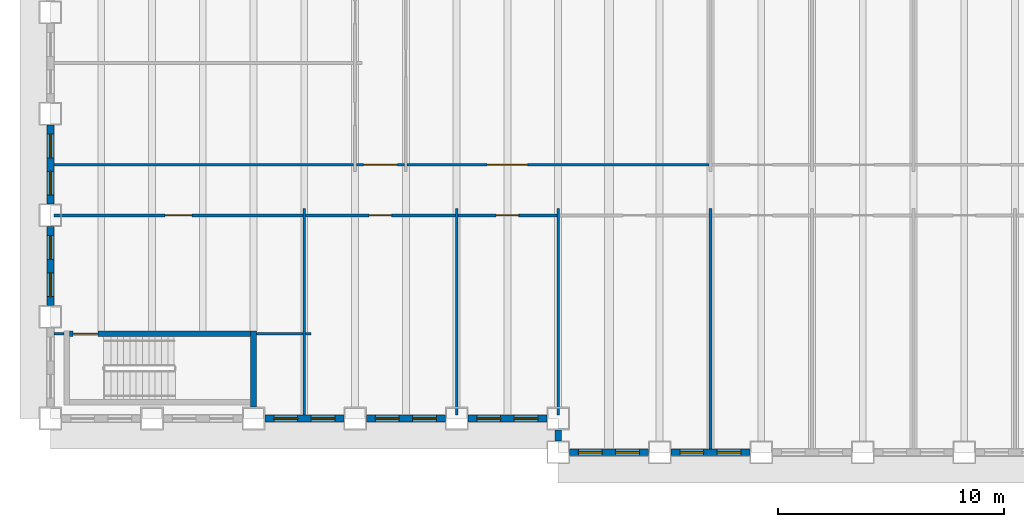
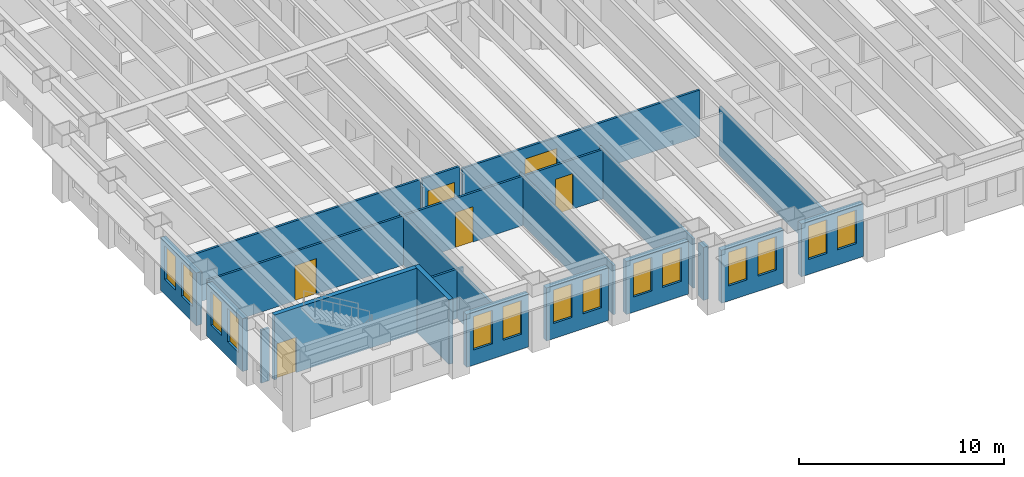
# One storey, part 3 of 16: 23 walls, 14 windows, 6 doors, 20 openings.
"""IFC4 building model written with IfcOpenShell, lengths in metres."""

from ifc_helpers import new_model, si_unit, direction, frame, frame_2d, origin, place, context, subcontext, project, spatial, rectangle, extrude, material, layer, layer_set, type_object, element, fill, save


model = new_model("IFC4")

# Units and contexts
model_context = context("Model", 3, precision=1e-05, world=origin(), true_north=direction((0.0, 1.0)))
body_context = subcontext(model_context, "Body", "Model", "MODEL_VIEW")
ifc_project = project(units=[si_unit("LENGTHUNIT", "METRE"), si_unit("AREAUNIT", "SQUARE_METRE"), si_unit("VOLUMEUNIT", "CUBIC_METRE"), si_unit("PLANEANGLEUNIT", "RADIAN"), si_unit("MASSUNIT", "GRAM", prefix="KILO")], contexts=[model_context])

# Site, building, storey
site_placement = place(None, origin())
site = spatial("IfcSite", under=ifc_project, at=site_placement, CompositionType="ELEMENT")
building_placement = place(site_placement, origin())
building = spatial("IfcBuilding", under=site, at=building_placement, Name="Sennacour Bend Tower", CompositionType="ELEMENT")
storey_placement = place(building_placement, frame((0.0, 0.0, 99.0)))
storey = spatial("IfcBuildingStorey", under=building, at=storey_placement, Name="L22", CompositionType="ELEMENT", Elevation=99.0)

# Walls
ifc_material_1 = material(Name="Plasterboard partition on steel studs", Category="steel")
ifc_layer_1 = layer(ifc_material_1, 0.1201171875, Name="Plasterboard partition on steel studs", Category="steel")
ifc_layer_set_1 = layer_set([ifc_layer_1], Name="Plasterboard partition on steel studs")
wall_type_1 = type_object("IfcWallType", Name="Partition 120", PredefinedType="PARTITIONING", material=ifc_layer_set_1)
for number, where, z_axis, x_axis, name in (
    (1, (11.25, 0.14990234375, 0.0), (0.0, 0.0, 1.0), (0.0, 1.0, 0.0), "P-L22-W012a"),
    (2, (18.0, 0.14990234375, 0.0), (0.0, 0.0, 1.0), (0.0, 1.0, 0.0), "P-L22-W019a"),
    (3, (22.5, 0.14990234375, 0.0), (0.0, 0.0, 1.0), (0.0, 1.0, 0.0), "P-L22-W023a"),
):
    element("IfcWall", number, at=place(storey_placement, frame(where, z_axis=z_axis, x_axis=x_axis)), inside=storey, type_object=wall_type_1, Name=name, PredefinedType="PARTITIONING", context=body_context, shape_type="SweptSolid", body=[
        extrude(rectangle(XDim=9.150146484375, YDim=0.1201171875, at=frame_2d((4.5751953125, 0.0))), origin(), (0.0, 0.0, 1.0), 2.93798828125),
    ])
wall_1_placement = place(storey_placement, frame((29.25, -1.35009765625, 0.0), z_axis=(0.0, 0.0, 1.0), x_axis=(0.0, 1.0, 0.0)))
element("IfcWall", 4, at=wall_1_placement, inside=storey, type_object=wall_type_1, Name="P-L22-W025a", PredefinedType="PARTITIONING", context=body_context, shape_type="SweptSolid", body=[
    extrude(rectangle(XDim=10.650146484375, YDim=0.1201171875, at=frame_2d((5.3251953125, 0.0))), origin(), (0.0, 0.0, 1.0), 2.93798828125),
])
wall_2_placement = place(storey_placement, frame((0.14990234375, 3.75, 0.0), z_axis=(0.0, 0.0, 1.0), x_axis=(1.0, 0.0, 0.0)))
element("IfcWall", 5, at=wall_2_placement, inside=storey, type_object=wall_type_1, Name="P-L22-W052a", PredefinedType="PARTITIONING", context=body_context, shape_type="SweptSolid", body=[
    extrude(rectangle(XDim=0.4501953125, YDim=0.1201171875, at=frame_2d((0.22509765625, 0.0))), origin(), (0.0, 0.0, 1.0), 3.154052734375),
])
wall_3_placement = place(storey_placement, frame((9.125, 3.75, 0.0), z_axis=(0.0, 0.0, 1.0), x_axis=(1.0, 0.0, 0.0)))
element("IfcWall", 6, at=wall_3_placement, inside=storey, type_object=wall_type_1, Name="P-L22-W054aa", PredefinedType="PARTITIONING", context=body_context, shape_type="SweptSolid", body=[
    extrude(rectangle(XDim=2.06494140625, YDim=0.1201171875, at=frame_2d((1.032470703125, 0.0))), origin(), (0.0, 0.0, 1.0), 2.93798828125),
])
wall_4_placement = place(storey_placement, frame((11.31005859375, 3.75, 0.0), z_axis=(0.0, 0.0, 1.0), x_axis=(1.0, 0.0, 0.0)))
element("IfcWall", 7, at=wall_4_placement, inside=storey, type_object=wall_type_1, Name="P-L22-W054ab", PredefinedType="PARTITIONING", context=body_context, shape_type="SweptSolid", body=[
    extrude(rectangle(XDim=0.239990234375, YDim=0.1201171875, at=frame_2d((0.1201171875, 0.0))), origin(), (0.0, 0.0, 1.0), 2.93798828125),
])

# Wall, opening, door
wall_5_placement = place(storey_placement, frame((11.31005859375, 9.0, 0.0), z_axis=(0.0, 0.0, 1.0), x_axis=(1.0, 0.0, 0.0)))
wall_5 = element("IfcWall", 8, at=wall_5_placement, inside=storey, type_object=wall_type_1, Name="P-L22-W058ab", PredefinedType="PARTITIONING", context=body_context, shape_type="SweptSolid", body=[
    extrude(rectangle(XDim=6.6298828125, YDim=0.1201171875, at=frame_2d((3.31494140625, 0.0))), origin(), (0.0, 0.0, 1.0), 2.93798828125),
])
opening_1_placement = place(wall_5_placement, frame((2.81494140625, 0.0, 0.0)))
opening_1 = element("IfcOpeningElement", 9, at=opening_1_placement, cuts=wall_5, Name="Opening OD2", PredefinedType="OPENING", context=body_context, shape_type="SweptSolid", body=[
    extrude(rectangle(XDim=1.0, YDim=2.10009765625, at=frame_2d((0.5, 1.050048828125))), frame((0.0, 0.070068359375, 0.0), z_axis=(0.0, -1.0, 0.0), x_axis=(1.0, 0.0, 0.0)), (0.0, 0.0, 1.0), 0.14013671875),
])
ifc_material_2 = material(Name="Timber", Category="wood")
door_type_1 = type_object("IfcDoorType", Name="DR-OFFICE-1000", OperationType="NOTDEFINED", PredefinedType="DOOR", material=ifc_material_2)
door_1_placement = place(opening_1_placement, origin())
door_1 = element("IfcDoor", 10, at=door_1_placement, inside=storey, type_object=door_type_1, Name="Door", OperationType="SINGLE_SWING_LEFT", OverallHeight=2.10009765625, OverallWidth=1.0, PredefinedType="DOOR", context=body_context, shape_type="SweptSolid", body=[
    extrude(rectangle(XDim=1.0, YDim=2.10009765625, at=frame_2d((0.5, 1.050048828125))), frame((0.0, 0.02490234375, 0.0), z_axis=(0.0, -1.0, 0.0), x_axis=(1.0, 0.0, 0.0)), (0.0, 0.0, 1.0), 0.050048828125),
])
fill(opening_1, door_1)

wall_6_placement = place(storey_placement, frame((18.06005859375, 9.0, 0.0), z_axis=(0.0, 0.0, 1.0), x_axis=(1.0, 0.0, 0.0)))
wall_6 = element("IfcWall", 11, at=wall_6_placement, inside=storey, type_object=wall_type_1, Name="P-L22-W058ac", PredefinedType="PARTITIONING", context=body_context, shape_type="SweptSolid", body=[
    extrude(rectangle(XDim=4.3798828125, YDim=0.1201171875, at=frame_2d((2.18994140625, 0.0))), origin(), (0.0, 0.0, 1.0), 2.93798828125),
])
opening_2_placement = place(wall_6_placement, frame((1.68994140625, 0.0, 0.0)))
opening_2 = element("IfcOpeningElement", 12, at=opening_2_placement, cuts=wall_6, Name="Opening OD2", PredefinedType="OPENING", context=body_context, shape_type="SweptSolid", body=[
    extrude(rectangle(XDim=1.0, YDim=2.10009765625, at=frame_2d((0.5, 1.050048828125))), frame((0.0, 0.070068359375, 0.0), z_axis=(0.0, -1.0, 0.0), x_axis=(1.0, 0.0, 0.0)), (0.0, 0.0, 1.0), 0.14013671875),
])
door_2_placement = place(opening_2_placement, origin())
door_2 = element("IfcDoor", 13, at=door_2_placement, inside=storey, type_object=door_type_1, Name="Door", OperationType="SINGLE_SWING_LEFT", OverallHeight=2.10009765625, OverallWidth=1.0, PredefinedType="DOOR", context=body_context, shape_type="SweptSolid", body=[
    extrude(rectangle(XDim=1.0, YDim=2.10009765625, at=frame_2d((0.5, 1.050048828125))), frame((0.0, 0.02490234375, 0.0), z_axis=(0.0, -1.0, 0.0), x_axis=(1.0, 0.0, 0.0)), (0.0, 0.0, 1.0), 0.050048828125),
])
fill(opening_2, door_2)

# Wall
wall_7_placement = place(storey_placement, frame((0.14990234375, 11.25, 0.0), z_axis=(0.0, 0.0, 1.0), x_axis=(1.0, 0.0, 0.0)))
element("IfcWall", 14, at=wall_7_placement, inside=storey, type_object=wall_type_1, Name="P-L22-W060aa", PredefinedType="PARTITIONING", context=body_context, shape_type="SweptSolid", body=[
    extrude(rectangle(XDim=13.2900390625, YDim=0.1201171875, at=frame_2d((6.64501953125, 0.0))), origin(), (0.0, 0.0, 1.0), 2.93798828125),
])

# Wall, opening, door
wall_8_placement = place(storey_placement, frame((15.81005859375, 11.25, 0.0), z_axis=(0.0, 0.0, 1.0), x_axis=(1.0, 0.0, 0.0)))
wall_8 = element("IfcWall", 15, at=wall_8_placement, inside=storey, type_object=wall_type_1, Name="P-L22-W060ac", PredefinedType="PARTITIONING", context=body_context, shape_type="SweptSolid", body=[
    extrude(rectangle(XDim=13.3798828125, YDim=0.1201171875, at=frame_2d((6.68994140625, 0.0))), origin(), (0.0, 0.0, 1.0), 2.760009765625),
])
opening_3_placement = place(wall_8_placement, frame((3.539794921875, 0.0, 0.0)))
opening_3 = element("IfcOpeningElement", 16, at=opening_3_placement, cuts=wall_8, Name="Opening OD3", PredefinedType="OPENING", context=body_context, shape_type="SweptSolid", body=[
    extrude(rectangle(XDim=1.800048828125, YDim=2.10009765625, at=frame_2d((0.89990234375, 1.050048828125))), frame((0.0, 0.070068359375, 0.0), z_axis=(0.0, -1.0, 0.0), x_axis=(1.0, 0.0, 0.0)), (0.0, 0.0, 1.0), 0.14013671875),
])
door_type_2 = type_object("IfcDoorType", Name="DR-OFFICE-1800", OperationType="NOTDEFINED", PredefinedType="DOOR", material=ifc_material_2)
door_3_placement = place(opening_3_placement, origin())
door_3 = element("IfcDoor", 17, at=door_3_placement, inside=storey, type_object=door_type_2, Name="Door", OperationType="DOUBLE_DOOR_SINGLE_SWING", OverallHeight=2.10009765625, OverallWidth=1.800048828125, PredefinedType="DOOR", context=body_context, shape_type="SweptSolid", body=[
    extrude(rectangle(XDim=1.800048828125, YDim=2.10009765625, at=frame_2d((0.89990234375, 1.050048828125))), frame((0.0, 0.02490234375, 0.0), z_axis=(0.0, -1.0, 0.0), x_axis=(1.0, 0.0, 0.0)), (0.0, 0.0, 1.0), 0.050048828125),
])
fill(opening_3, door_3)

ifc_layer_2 = layer(ifc_material_1, 0.1201171875, Name="Plasterboard partition on steel studs", Category="steel")
ifc_layer_set_2 = layer_set([ifc_layer_2], Name="Plasterboard partition on steel studs")
wall_type_2 = type_object("IfcWallType", Name="Partition 120 EI 30", PredefinedType="PARTITIONING", material=ifc_layer_set_2)
wall_9_placement = place(storey_placement, frame((0.14990234375, 9.0, 0.0), z_axis=(0.0, 0.0, 1.0), x_axis=(1.0, 0.0, 0.0)))
wall_9 = element("IfcWall", 18, at=wall_9_placement, inside=storey, type_object=wall_type_2, Name="P-L22-W058aa", PredefinedType="PARTITIONING", context=body_context, shape_type="SweptSolid", body=[
    extrude(rectangle(XDim=11.0400390625, YDim=0.1201171875, at=frame_2d((5.52001953125, 0.0))), origin(), (0.0, 0.0, 1.0), 2.93798828125),
])
opening_4_placement = place(wall_9_placement, frame((4.93017578125, 0.0, 0.0)))
opening_4 = element("IfcOpeningElement", 19, at=opening_4_placement, cuts=wall_9, Name="Opening KD2", PredefinedType="OPENING", context=body_context, shape_type="SweptSolid", body=[
    extrude(rectangle(XDim=1.199951171875, YDim=2.10009765625, at=frame_2d((0.60009765625, 1.050048828125))), frame((0.0, 0.070068359375, 0.0), z_axis=(0.0, -1.0, 0.0), x_axis=(1.0, 0.0, 0.0)), (0.0, 0.0, 1.0), 0.14013671875),
])
ifc_material_3 = material(Name="Painted steel", Category="steel")
door_type_3 = type_object("IfcDoorType", Name="DR-CORRIDOR-1200", OperationType="NOTDEFINED", PredefinedType="DOOR", material=ifc_material_3)
door_4_placement = place(opening_4_placement, origin())
door_4 = element("IfcDoor", 20, at=door_4_placement, inside=storey, type_object=door_type_3, Name="Door", OperationType="SINGLE_SWING_LEFT", OverallHeight=2.10009765625, OverallWidth=1.199951171875, PredefinedType="DOOR", context=body_context, shape_type="SweptSolid", body=[
    extrude(rectangle(XDim=1.199951171875, YDim=2.10009765625, at=frame_2d((0.60009765625, 1.050048828125))), frame((0.0, 0.02490234375, 0.0), z_axis=(0.0, -1.0, 0.0), x_axis=(1.0, 0.0, 0.0)), (0.0, 0.0, 1.0), 0.050048828125),
])
fill(opening_4, door_4)

wall_10_placement = place(storey_placement, frame((13.56005859375, 11.25, 0.0), z_axis=(0.0, 0.0, 1.0), x_axis=(1.0, 0.0, 0.0)))
wall_10 = element("IfcWall", 21, at=wall_10_placement, inside=storey, type_object=wall_type_2, Name="P-L22-W060ab", PredefinedType="PARTITIONING", context=body_context, shape_type="SweptSolid", body=[
    extrude(rectangle(XDim=2.1298828125, YDim=0.1201171875, at=frame_2d((1.06494140625, 0.0))), origin(), (0.0, 0.0, 1.0), 2.93798828125),
])
opening_5_placement = place(wall_10_placement, frame((0.31494140625, 0.0, 0.0)))
opening_5 = element("IfcOpeningElement", 22, at=opening_5_placement, cuts=wall_10, Name="Opening KD", PredefinedType="OPENING", context=body_context, shape_type="SweptSolid", body=[
    extrude(rectangle(XDim=1.5, YDim=2.10009765625, at=frame_2d((0.75, 1.050048828125))), frame((0.0, 0.070068359375, 0.0), z_axis=(0.0, -1.0, 0.0), x_axis=(1.0, 0.0, 0.0)), (0.0, 0.0, 1.0), 0.14013671875),
])
door_type_4 = type_object("IfcDoorType", Name="DR-CORRIDOR-1500", OperationType="NOTDEFINED", PredefinedType="DOOR", material=ifc_material_3)
door_5_placement = place(opening_5_placement, origin())
door_5 = element("IfcDoor", 23, at=door_5_placement, inside=storey, type_object=door_type_4, Name="Door", OperationType="SINGLE_SWING_LEFT", OverallHeight=2.10009765625, OverallWidth=1.5, PredefinedType="DOOR", context=body_context, shape_type="SweptSolid", body=[
    extrude(rectangle(XDim=1.5, YDim=2.10009765625, at=frame_2d((0.75, 1.050048828125))), frame((0.0, 0.02490234375, 0.0), z_axis=(0.0, -1.0, 0.0), x_axis=(1.0, 0.0, 0.0)), (0.0, 0.0, 1.0), 0.050048828125),
])
fill(opening_5, door_5)

# Wall, openings, windows
ifc_material_4 = material(Name="Warm limestone cladding", Category="masonry")
ifc_layer_3 = layer(ifc_material_4, 0.050048828125, Name="Warm limestone cladding", Category="masonry")
ifc_material_5 = material(Name="Precast concrete C40/50", Category="concrete")
ifc_layer_4 = layer(ifc_material_5, 0.25, Name="Precast concrete C40/50", Category="concrete")
ifc_layer_set_3 = layer_set([ifc_layer_3, ifc_layer_4], Name="Precast concrete C40/50 with limestone cladding")
wall_type_3 = type_object("IfcWallType", Name="STONE-CLAD PRECAST SPANDREL 300", PredefinedType="STANDARD", material=ifc_layer_set_3)
wall_11_placement = place(storey_placement, frame((23.0, -1.5, 0.0), z_axis=(0.0, 0.0, 1.0), x_axis=(1.0, 0.0, 0.0)))
wall_11 = element("IfcWall", 24, at=wall_11_placement, inside=storey, type_object=wall_type_3, Name="Stone spandrel and pier wall L22 00.00", PredefinedType="STANDARD", context=body_context, shape_type="SweptSolid", body=[
    extrude(rectangle(XDim=3.5, YDim=0.300048828125, at=frame_2d((1.75, 0.0))), origin(), (0.0, 0.0, 1.0), 3.154052734375),
])
opening_6_placement = place(wall_11_placement, frame((0.39990234375, 0.0, 0.89990234375)))
opening_6 = element("IfcOpeningElement", 25, at=opening_6_placement, cuts=wall_11, Name="Opening W13", PredefinedType="OPENING", context=body_context, shape_type="SweptSolid", body=[
    extrude(rectangle(XDim=1.050048828125, YDim=2.0, at=frame_2d((0.52490234375, 1.0))), frame((0.0, 0.16015625, 0.0), z_axis=(0.0, -1.0, 0.0), x_axis=(1.0, 0.0, 0.0)), (0.0, 0.0, 1.0), 0.320068359375),
])
opening_7_placement = place(wall_11_placement, frame((2.050048828125, 0.0, 0.89990234375)))
opening_7 = element("IfcOpeningElement", 26, at=opening_7_placement, cuts=wall_11, Name="Opening W13", PredefinedType="OPENING", context=body_context, shape_type="SweptSolid", body=[
    extrude(rectangle(XDim=1.050048828125, YDim=2.0, at=frame_2d((0.52490234375, 1.0))), frame((0.0, 0.16015625, 0.0), z_axis=(0.0, -1.0, 0.0), x_axis=(1.0, 0.0, 0.0)), (0.0, 0.0, 1.0), 0.320068359375),
])
ifc_material_6 = material(Name="Clear low-emissivity glass", Category="glass")
window_type = type_object("IfcWindowType", Name="WIN-RIBBON-1050x2000", PartitioningType="SINGLE_PANEL", PredefinedType="WINDOW", material=ifc_material_6)
window_1_placement = place(opening_6_placement, origin())
window_1 = element("IfcWindow", 27, at=window_1_placement, inside=storey, type_object=window_type, Name="Ribbon window L22 00.00.0", OverallHeight=2.0, OverallWidth=1.050048828125, PartitioningType="SINGLE_PANEL", PredefinedType="WINDOW", context=body_context, shape_type="SweptSolid", body=[
    extrude(rectangle(XDim=1.050048828125, YDim=2.0, at=frame_2d((0.52490234375, 1.0))), frame((0.0, 0.030029296875, 0.0), z_axis=(0.0, -1.0, 0.0), x_axis=(1.0, 0.0, 0.0)), (0.0, 0.0, 1.0), 0.06005859375),
])
fill(opening_6, window_1)
window_2_placement = place(opening_7_placement, origin())
window_2 = element("IfcWindow", 28, at=window_2_placement, inside=storey, type_object=window_type, Name="Ribbon window L22 00.00.1", OverallHeight=2.0, OverallWidth=1.050048828125, PartitioningType="SINGLE_PANEL", PredefinedType="WINDOW", context=body_context, shape_type="SweptSolid", body=[
    extrude(rectangle(XDim=1.050048828125, YDim=2.0, at=frame_2d((0.52490234375, 1.0))), frame((0.0, 0.030029296875, 0.0), z_axis=(0.0, -1.0, 0.0), x_axis=(1.0, 0.0, 0.0)), (0.0, 0.0, 1.0), 0.06005859375),
])
fill(opening_7, window_2)

wall_12_placement = place(storey_placement, frame((27.5, -1.5, 0.0), z_axis=(0.0, 0.0, 1.0), x_axis=(1.0, 0.0, 0.0)))
wall_12 = element("IfcWall", 29, at=wall_12_placement, inside=storey, type_object=wall_type_3, Name="Stone spandrel and pier wall L22 00.01", PredefinedType="STANDARD", context=body_context, shape_type="SweptSolid", body=[
    extrude(rectangle(XDim=3.5, YDim=0.300048828125, at=frame_2d((1.75, 0.0))), origin(), (0.0, 0.0, 1.0), 3.154052734375),
])
opening_8_placement = place(wall_12_placement, frame((0.39990234375, 0.0, 0.89990234375)))
opening_8 = element("IfcOpeningElement", 30, at=opening_8_placement, cuts=wall_12, Name="Opening W13", PredefinedType="OPENING", context=body_context, shape_type="SweptSolid", body=[
    extrude(rectangle(XDim=1.050048828125, YDim=2.0, at=frame_2d((0.52490234375, 1.0))), frame((0.0, 0.16015625, 0.0), z_axis=(0.0, -1.0, 0.0), x_axis=(1.0, 0.0, 0.0)), (0.0, 0.0, 1.0), 0.320068359375),
])
opening_9_placement = place(wall_12_placement, frame((2.050048828125, 0.0, 0.89990234375)))
opening_9 = element("IfcOpeningElement", 31, at=opening_9_placement, cuts=wall_12, Name="Opening W13", PredefinedType="OPENING", context=body_context, shape_type="SweptSolid", body=[
    extrude(rectangle(XDim=1.050048828125, YDim=2.0, at=frame_2d((0.52490234375, 1.0))), frame((0.0, 0.16015625, 0.0), z_axis=(0.0, -1.0, 0.0), x_axis=(1.0, 0.0, 0.0)), (0.0, 0.0, 1.0), 0.320068359375),
])
window_3_placement = place(opening_8_placement, origin())
window_3 = element("IfcWindow", 32, at=window_3_placement, inside=storey, type_object=window_type, Name="Ribbon window L22 00.01.0", OverallHeight=2.0, OverallWidth=1.050048828125, PartitioningType="SINGLE_PANEL", PredefinedType="WINDOW", context=body_context, shape_type="SweptSolid", body=[
    extrude(rectangle(XDim=1.050048828125, YDim=2.0, at=frame_2d((0.52490234375, 1.0))), frame((0.0, 0.030029296875, 0.0), z_axis=(0.0, -1.0, 0.0), x_axis=(1.0, 0.0, 0.0)), (0.0, 0.0, 1.0), 0.06005859375),
])
fill(opening_8, window_3)
window_4_placement = place(opening_9_placement, origin())
window_4 = element("IfcWindow", 33, at=window_4_placement, inside=storey, type_object=window_type, Name="Ribbon window L22 00.01.1", OverallHeight=2.0, OverallWidth=1.050048828125, PartitioningType="SINGLE_PANEL", PredefinedType="WINDOW", context=body_context, shape_type="SweptSolid", body=[
    extrude(rectangle(XDim=1.050048828125, YDim=2.0, at=frame_2d((0.52490234375, 1.0))), frame((0.0, 0.030029296875, 0.0), z_axis=(0.0, -1.0, 0.0), x_axis=(1.0, 0.0, 0.0)), (0.0, 0.0, 1.0), 0.06005859375),
])
fill(opening_9, window_4)

wall_13_placement = place(storey_placement, frame((0.0, 13.0, 0.0), z_axis=(0.0, 0.0, 1.0), x_axis=(0.0, -1.0, 0.0)))
wall_13 = element("IfcWall", 34, at=wall_13_placement, inside=storey, type_object=wall_type_3, Name="Stone spandrel and pier wall L22 21.02", PredefinedType="STANDARD", context=body_context, shape_type="SweptSolid", body=[
    extrude(rectangle(XDim=3.5, YDim=0.300048828125, at=frame_2d((1.75, 0.0))), origin(), (0.0, 0.0, 1.0), 3.154052734375),
])
opening_10_placement = place(wall_13_placement, frame((0.39990234375, 0.0, 0.89990234375)))
opening_10 = element("IfcOpeningElement", 35, at=opening_10_placement, cuts=wall_13, Name="Opening W13", PredefinedType="OPENING", context=body_context, shape_type="SweptSolid", body=[
    extrude(rectangle(XDim=1.050048828125, YDim=2.0, at=frame_2d((0.52490234375, 1.0))), frame((0.0, 0.16015625, 0.0), z_axis=(0.0, -1.0, 0.0), x_axis=(1.0, 0.0, 0.0)), (0.0, 0.0, 1.0), 0.320068359375),
])
opening_11_placement = place(wall_13_placement, frame((2.050048828125, 0.0, 0.89990234375)))
opening_11 = element("IfcOpeningElement", 36, at=opening_11_placement, cuts=wall_13, Name="Opening W13", PredefinedType="OPENING", context=body_context, shape_type="SweptSolid", body=[
    extrude(rectangle(XDim=1.050048828125, YDim=2.0, at=frame_2d((0.52490234375, 1.0))), frame((0.0, 0.16015625, 0.0), z_axis=(0.0, -1.0, 0.0), x_axis=(1.0, 0.0, 0.0)), (0.0, 0.0, 1.0), 0.320068359375),
])
window_5_placement = place(opening_10_placement, origin())
window_5 = element("IfcWindow", 37, at=window_5_placement, inside=storey, type_object=window_type, Name="Ribbon window L22 21.02.0", OverallHeight=2.0, OverallWidth=1.050048828125, PartitioningType="SINGLE_PANEL", PredefinedType="WINDOW", context=body_context, shape_type="SweptSolid", body=[
    extrude(rectangle(XDim=1.050048828125, YDim=2.0, at=frame_2d((0.52490234375, 1.0))), frame((0.0, 0.030029296875, 0.0), z_axis=(0.0, -1.0, 0.0), x_axis=(1.0, 0.0, 0.0)), (0.0, 0.0, 1.0), 0.06005859375),
])
fill(opening_10, window_5)
window_6_placement = place(opening_11_placement, origin())
window_6 = element("IfcWindow", 38, at=window_6_placement, inside=storey, type_object=window_type, Name="Ribbon window L22 21.02.1", OverallHeight=2.0, OverallWidth=1.050048828125, PartitioningType="SINGLE_PANEL", PredefinedType="WINDOW", context=body_context, shape_type="SweptSolid", body=[
    extrude(rectangle(XDim=1.050048828125, YDim=2.0, at=frame_2d((0.52490234375, 1.0))), frame((0.0, 0.030029296875, 0.0), z_axis=(0.0, -1.0, 0.0), x_axis=(1.0, 0.0, 0.0)), (0.0, 0.0, 1.0), 0.06005859375),
])
fill(opening_11, window_6)

wall_14_placement = place(storey_placement, frame((0.0, 8.5, 0.0), z_axis=(0.0, 0.0, 1.0), x_axis=(0.0, -1.0, 0.0)))
wall_14 = element("IfcWall", 39, at=wall_14_placement, inside=storey, type_object=wall_type_3, Name="Stone spandrel and pier wall L22 21.03", PredefinedType="STANDARD", context=body_context, shape_type="SweptSolid", body=[
    extrude(rectangle(XDim=3.5, YDim=0.300048828125, at=frame_2d((1.75, 0.0))), origin(), (0.0, 0.0, 1.0), 3.154052734375),
])
opening_12_placement = place(wall_14_placement, frame((0.39990234375, 0.0, 0.89990234375)))
opening_12 = element("IfcOpeningElement", 40, at=opening_12_placement, cuts=wall_14, Name="Opening W13", PredefinedType="OPENING", context=body_context, shape_type="SweptSolid", body=[
    extrude(rectangle(XDim=1.050048828125, YDim=2.0, at=frame_2d((0.52490234375, 1.0))), frame((0.0, 0.16015625, 0.0), z_axis=(0.0, -1.0, 0.0), x_axis=(1.0, 0.0, 0.0)), (0.0, 0.0, 1.0), 0.320068359375),
])
opening_13_placement = place(wall_14_placement, frame((2.050048828125, 0.0, 0.89990234375)))
opening_13 = element("IfcOpeningElement", 41, at=opening_13_placement, cuts=wall_14, Name="Opening W13", PredefinedType="OPENING", context=body_context, shape_type="SweptSolid", body=[
    extrude(rectangle(XDim=1.050048828125, YDim=2.0, at=frame_2d((0.52490234375, 1.0))), frame((0.0, 0.16015625, 0.0), z_axis=(0.0, -1.0, 0.0), x_axis=(1.0, 0.0, 0.0)), (0.0, 0.0, 1.0), 0.320068359375),
])
window_7_placement = place(opening_12_placement, origin())
window_7 = element("IfcWindow", 42, at=window_7_placement, inside=storey, type_object=window_type, Name="Ribbon window L22 21.03.0", OverallHeight=2.0, OverallWidth=1.050048828125, PartitioningType="SINGLE_PANEL", PredefinedType="WINDOW", context=body_context, shape_type="SweptSolid", body=[
    extrude(rectangle(XDim=1.050048828125, YDim=2.0, at=frame_2d((0.52490234375, 1.0))), frame((0.0, 0.030029296875, 0.0), z_axis=(0.0, -1.0, 0.0), x_axis=(1.0, 0.0, 0.0)), (0.0, 0.0, 1.0), 0.06005859375),
])
fill(opening_12, window_7)
window_8_placement = place(opening_13_placement, origin())
window_8 = element("IfcWindow", 43, at=window_8_placement, inside=storey, type_object=window_type, Name="Ribbon window L22 21.03.1", OverallHeight=2.0, OverallWidth=1.050048828125, PartitioningType="SINGLE_PANEL", PredefinedType="WINDOW", context=body_context, shape_type="SweptSolid", body=[
    extrude(rectangle(XDim=1.050048828125, YDim=2.0, at=frame_2d((0.52490234375, 1.0))), frame((0.0, 0.030029296875, 0.0), z_axis=(0.0, -1.0, 0.0), x_axis=(1.0, 0.0, 0.0)), (0.0, 0.0, 1.0), 0.06005859375),
])
fill(opening_13, window_8)

wall_15_placement = place(storey_placement, frame((9.5, 0.0, 0.0), z_axis=(0.0, 0.0, 1.0), x_axis=(1.0, 0.0, 0.0)))
wall_15 = element("IfcWall", 44, at=wall_15_placement, inside=storey, type_object=wall_type_3, Name="Stone spandrel and pier wall L22 22.02", PredefinedType="STANDARD", context=body_context, shape_type="SweptSolid", body=[
    extrude(rectangle(XDim=3.5, YDim=0.300048828125, at=frame_2d((1.75, 0.0))), origin(), (0.0, 0.0, 1.0), 3.154052734375),
])
opening_14_placement = place(wall_15_placement, frame((0.39990234375, 0.0, 0.89990234375)))
opening_14 = element("IfcOpeningElement", 45, at=opening_14_placement, cuts=wall_15, Name="Opening W13", PredefinedType="OPENING", context=body_context, shape_type="SweptSolid", body=[
    extrude(rectangle(XDim=1.050048828125, YDim=2.0, at=frame_2d((0.52490234375, 1.0))), frame((0.0, 0.16015625, 0.0), z_axis=(0.0, -1.0, 0.0), x_axis=(1.0, 0.0, 0.0)), (0.0, 0.0, 1.0), 0.320068359375),
])
opening_15_placement = place(wall_15_placement, frame((2.050048828125, 0.0, 0.89990234375)))
opening_15 = element("IfcOpeningElement", 46, at=opening_15_placement, cuts=wall_15, Name="Opening W13", PredefinedType="OPENING", context=body_context, shape_type="SweptSolid", body=[
    extrude(rectangle(XDim=1.050048828125, YDim=2.0, at=frame_2d((0.52490234375, 1.0))), frame((0.0, 0.16015625, 0.0), z_axis=(0.0, -1.0, 0.0), x_axis=(1.0, 0.0, 0.0)), (0.0, 0.0, 1.0), 0.320068359375),
])
window_9_placement = place(opening_14_placement, origin())
window_9 = element("IfcWindow", 47, at=window_9_placement, inside=storey, type_object=window_type, Name="Ribbon window L22 22.02.0", OverallHeight=2.0, OverallWidth=1.050048828125, PartitioningType="SINGLE_PANEL", PredefinedType="WINDOW", context=body_context, shape_type="SweptSolid", body=[
    extrude(rectangle(XDim=1.050048828125, YDim=2.0, at=frame_2d((0.52490234375, 1.0))), frame((0.0, 0.030029296875, 0.0), z_axis=(0.0, -1.0, 0.0), x_axis=(1.0, 0.0, 0.0)), (0.0, 0.0, 1.0), 0.06005859375),
])
fill(opening_14, window_9)
window_10_placement = place(opening_15_placement, origin())
window_10 = element("IfcWindow", 48, at=window_10_placement, inside=storey, type_object=window_type, Name="Ribbon window L22 22.02.1", OverallHeight=2.0, OverallWidth=1.050048828125, PartitioningType="SINGLE_PANEL", PredefinedType="WINDOW", context=body_context, shape_type="SweptSolid", body=[
    extrude(rectangle(XDim=1.050048828125, YDim=2.0, at=frame_2d((0.52490234375, 1.0))), frame((0.0, 0.030029296875, 0.0), z_axis=(0.0, -1.0, 0.0), x_axis=(1.0, 0.0, 0.0)), (0.0, 0.0, 1.0), 0.06005859375),
])
fill(opening_15, window_10)

wall_16_placement = place(storey_placement, frame((14.0, 0.0, 0.0), z_axis=(0.0, 0.0, 1.0), x_axis=(1.0, 0.0, 0.0)))
wall_16 = element("IfcWall", 49, at=wall_16_placement, inside=storey, type_object=wall_type_3, Name="Stone spandrel and pier wall L22 22.03", PredefinedType="STANDARD", context=body_context, shape_type="SweptSolid", body=[
    extrude(rectangle(XDim=3.5, YDim=0.300048828125, at=frame_2d((1.75, 0.0))), origin(), (0.0, 0.0, 1.0), 3.154052734375),
])
opening_16_placement = place(wall_16_placement, frame((0.39990234375, 0.0, 0.89990234375)))
opening_16 = element("IfcOpeningElement", 50, at=opening_16_placement, cuts=wall_16, Name="Opening W13", PredefinedType="OPENING", context=body_context, shape_type="SweptSolid", body=[
    extrude(rectangle(XDim=1.050048828125, YDim=2.0, at=frame_2d((0.52490234375, 1.0))), frame((0.0, 0.16015625, 0.0), z_axis=(0.0, -1.0, 0.0), x_axis=(1.0, 0.0, 0.0)), (0.0, 0.0, 1.0), 0.320068359375),
])
opening_17_placement = place(wall_16_placement, frame((2.050048828125, 0.0, 0.89990234375)))
opening_17 = element("IfcOpeningElement", 51, at=opening_17_placement, cuts=wall_16, Name="Opening W13", PredefinedType="OPENING", context=body_context, shape_type="SweptSolid", body=[
    extrude(rectangle(XDim=1.050048828125, YDim=2.0, at=frame_2d((0.52490234375, 1.0))), frame((0.0, 0.16015625, 0.0), z_axis=(0.0, -1.0, 0.0), x_axis=(1.0, 0.0, 0.0)), (0.0, 0.0, 1.0), 0.320068359375),
])
window_11_placement = place(opening_16_placement, origin())
window_11 = element("IfcWindow", 52, at=window_11_placement, inside=storey, type_object=window_type, Name="Ribbon window L22 22.03.0", OverallHeight=2.0, OverallWidth=1.050048828125, PartitioningType="SINGLE_PANEL", PredefinedType="WINDOW", context=body_context, shape_type="SweptSolid", body=[
    extrude(rectangle(XDim=1.050048828125, YDim=2.0, at=frame_2d((0.52490234375, 1.0))), frame((0.0, 0.030029296875, 0.0), z_axis=(0.0, -1.0, 0.0), x_axis=(1.0, 0.0, 0.0)), (0.0, 0.0, 1.0), 0.06005859375),
])
fill(opening_16, window_11)
window_12_placement = place(opening_17_placement, origin())
window_12 = element("IfcWindow", 53, at=window_12_placement, inside=storey, type_object=window_type, Name="Ribbon window L22 22.03.1", OverallHeight=2.0, OverallWidth=1.050048828125, PartitioningType="SINGLE_PANEL", PredefinedType="WINDOW", context=body_context, shape_type="SweptSolid", body=[
    extrude(rectangle(XDim=1.050048828125, YDim=2.0, at=frame_2d((0.52490234375, 1.0))), frame((0.0, 0.030029296875, 0.0), z_axis=(0.0, -1.0, 0.0), x_axis=(1.0, 0.0, 0.0)), (0.0, 0.0, 1.0), 0.06005859375),
])
fill(opening_17, window_12)

wall_17_placement = place(storey_placement, frame((18.5, 0.0, 0.0), z_axis=(0.0, 0.0, 1.0), x_axis=(1.0, 0.0, 0.0)))
wall_17 = element("IfcWall", 54, at=wall_17_placement, inside=storey, type_object=wall_type_3, Name="Stone spandrel and pier wall L22 22.04", PredefinedType="STANDARD", context=body_context, shape_type="SweptSolid", body=[
    extrude(rectangle(XDim=3.5, YDim=0.300048828125, at=frame_2d((1.75, 0.0))), origin(), (0.0, 0.0, 1.0), 3.154052734375),
])
opening_18_placement = place(wall_17_placement, frame((0.39990234375, 0.0, 0.89990234375)))
opening_18 = element("IfcOpeningElement", 55, at=opening_18_placement, cuts=wall_17, Name="Opening W13", PredefinedType="OPENING", context=body_context, shape_type="SweptSolid", body=[
    extrude(rectangle(XDim=1.050048828125, YDim=2.0, at=frame_2d((0.52490234375, 1.0))), frame((0.0, 0.16015625, 0.0), z_axis=(0.0, -1.0, 0.0), x_axis=(1.0, 0.0, 0.0)), (0.0, 0.0, 1.0), 0.320068359375),
])
opening_19_placement = place(wall_17_placement, frame((2.050048828125, 0.0, 0.89990234375)))
opening_19 = element("IfcOpeningElement", 56, at=opening_19_placement, cuts=wall_17, Name="Opening W13", PredefinedType="OPENING", context=body_context, shape_type="SweptSolid", body=[
    extrude(rectangle(XDim=1.050048828125, YDim=2.0, at=frame_2d((0.52490234375, 1.0))), frame((0.0, 0.16015625, 0.0), z_axis=(0.0, -1.0, 0.0), x_axis=(1.0, 0.0, 0.0)), (0.0, 0.0, 1.0), 0.320068359375),
])
window_13_placement = place(opening_18_placement, origin())
window_13 = element("IfcWindow", 57, at=window_13_placement, inside=storey, type_object=window_type, Name="Ribbon window L22 22.04.0", OverallHeight=2.0, OverallWidth=1.050048828125, PartitioningType="SINGLE_PANEL", PredefinedType="WINDOW", context=body_context, shape_type="SweptSolid", body=[
    extrude(rectangle(XDim=1.050048828125, YDim=2.0, at=frame_2d((0.52490234375, 1.0))), frame((0.0, 0.030029296875, 0.0), z_axis=(0.0, -1.0, 0.0), x_axis=(1.0, 0.0, 0.0)), (0.0, 0.0, 1.0), 0.06005859375),
])
fill(opening_18, window_13)
window_14_placement = place(opening_19_placement, origin())
window_14 = element("IfcWindow", 58, at=window_14_placement, inside=storey, type_object=window_type, Name="Ribbon window L22 22.04.1", OverallHeight=2.0, OverallWidth=1.050048828125, PartitioningType="SINGLE_PANEL", PredefinedType="WINDOW", context=body_context, shape_type="SweptSolid", body=[
    extrude(rectangle(XDim=1.050048828125, YDim=2.0, at=frame_2d((0.52490234375, 1.0))), frame((0.0, 0.030029296875, 0.0), z_axis=(0.0, -1.0, 0.0), x_axis=(1.0, 0.0, 0.0)), (0.0, 0.0, 1.0), 0.06005859375),
])
fill(opening_19, window_14)

# Walls
wall_18_placement = place(storey_placement, frame((22.5, -0.5, 0.0), z_axis=(0.0, 0.0, 1.0), x_axis=(0.0, -1.0, 0.0)))
element("IfcWall", 59, at=wall_18_placement, inside=storey, type_object=wall_type_3, Name="Stone spandrel and pier wall L22 23.00", PredefinedType="STANDARD", context=body_context, shape_type="SweptSolid", body=[
    extrude(rectangle(XDim=0.5, YDim=0.300048828125, at=frame_2d((0.25, 0.0))), origin(), (0.0, 0.0, 1.0), 3.154052734375),
])
ifc_material_7 = material(Name="Concrete C60/75", Category="concrete")
ifc_layer_5 = layer(ifc_material_7, 0.25, Name="Concrete C60/75", Category="concrete")
ifc_layer_set_4 = layer_set([ifc_layer_5], Name="Concrete C60/75")
wall_type_4 = type_object("IfcWallType", Name="Stair wall 250", PredefinedType="SHEAR", material=ifc_layer_set_4)
wall_19_placement = place(storey_placement, frame((9.0, 0.5, 0.0), z_axis=(0.0, 0.0, 1.0), x_axis=(0.0, 1.0, 0.0)))
element("IfcWall", 60, at=wall_19_placement, inside=storey, type_object=wall_type_4, Name="P-L22-W009", PredefinedType="SHEAR", context=body_context, shape_type="SweptSolid", body=[
    extrude(rectangle(XDim=3.375, YDim=0.25, at=frame_2d((1.6875, 0.0))), origin(), (0.0, 0.0, 1.0), 3.85009765625),
])

# Wall, opening, door
wall_20_placement = place(storey_placement, frame((0.85009765625, 3.75, 0.0), z_axis=(0.0, 0.0, 1.0), x_axis=(1.0, 0.0, 0.0)))
wall_20 = element("IfcWall", 61, at=wall_20_placement, inside=storey, type_object=wall_type_4, Name="P-L22-W053", PredefinedType="SHEAR", context=body_context, shape_type="SweptSolid", body=[
    extrude(rectangle(XDim=8.02490234375, YDim=0.25, at=frame_2d((4.012451171875, 0.0))), origin(), (0.0, 0.0, 1.0), 3.85009765625),
])
opening_20_placement = place(wall_20_placement, frame((0.14990234375, 0.0, 0.0)))
opening_20 = element("IfcOpeningElement", 62, at=opening_20_placement, cuts=wall_20, Name="Opening SD", PredefinedType="OPENING", context=body_context, shape_type="SweptSolid", body=[
    extrude(rectangle(XDim=1.10009765625, YDim=2.10009765625, at=frame_2d((0.550048828125, 1.050048828125))), frame((0.0, 0.135009765625, 0.0), z_axis=(0.0, -1.0, 0.0), x_axis=(1.0, 0.0, 0.0)), (0.0, 0.0, 1.0), 0.27001953125),
])
door_type_5 = type_object("IfcDoorType", Name="DR-STAIR-1100", OperationType="NOTDEFINED", PredefinedType="DOOR", material=ifc_material_3)
door_6_placement = place(opening_20_placement, origin())
door_6 = element("IfcDoor", 63, at=door_6_placement, inside=storey, type_object=door_type_5, Name="Door", OperationType="SINGLE_SWING_LEFT", OverallHeight=2.10009765625, OverallWidth=1.10009765625, PredefinedType="DOOR", context=body_context, shape_type="SweptSolid", body=[
    extrude(rectangle(XDim=1.10009765625, YDim=2.10009765625, at=frame_2d((0.550048828125, 1.050048828125))), frame((0.0, 0.02490234375, 0.0), z_axis=(0.0, -1.0, 0.0), x_axis=(1.0, 0.0, 0.0)), (0.0, 0.0, 1.0), 0.050048828125),
])
fill(opening_20, door_6)

save(model, "model.ifc")
